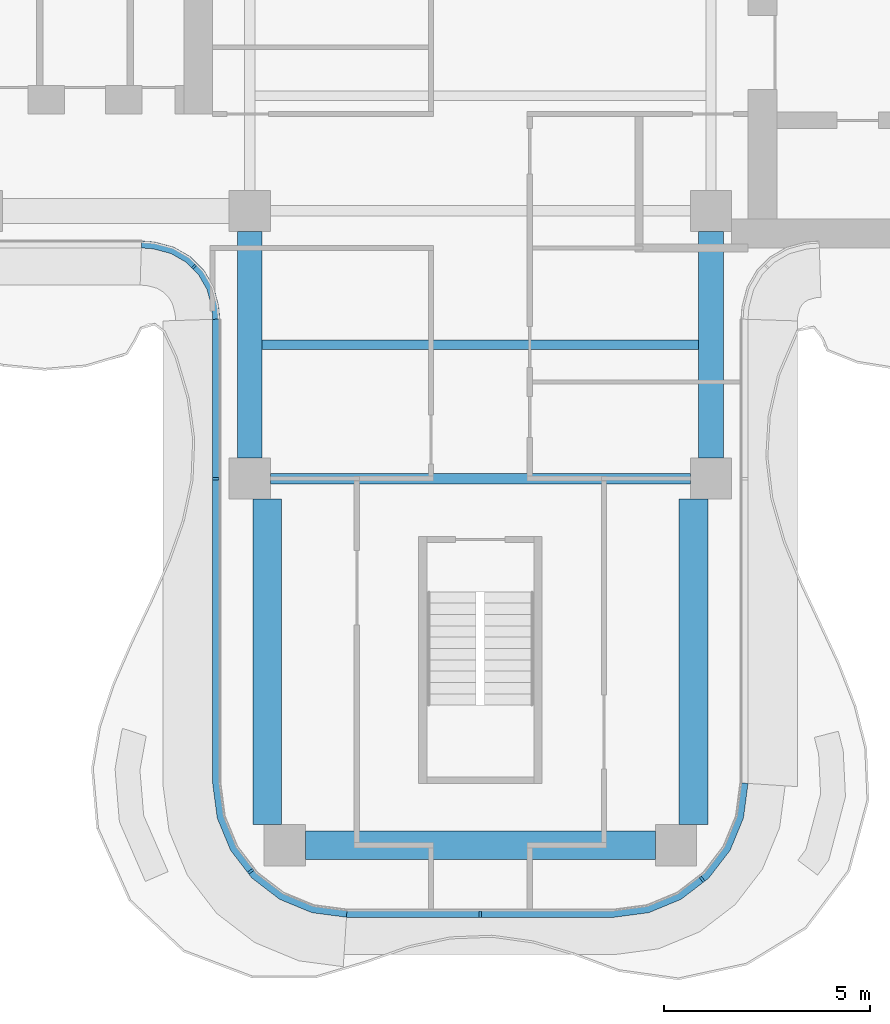
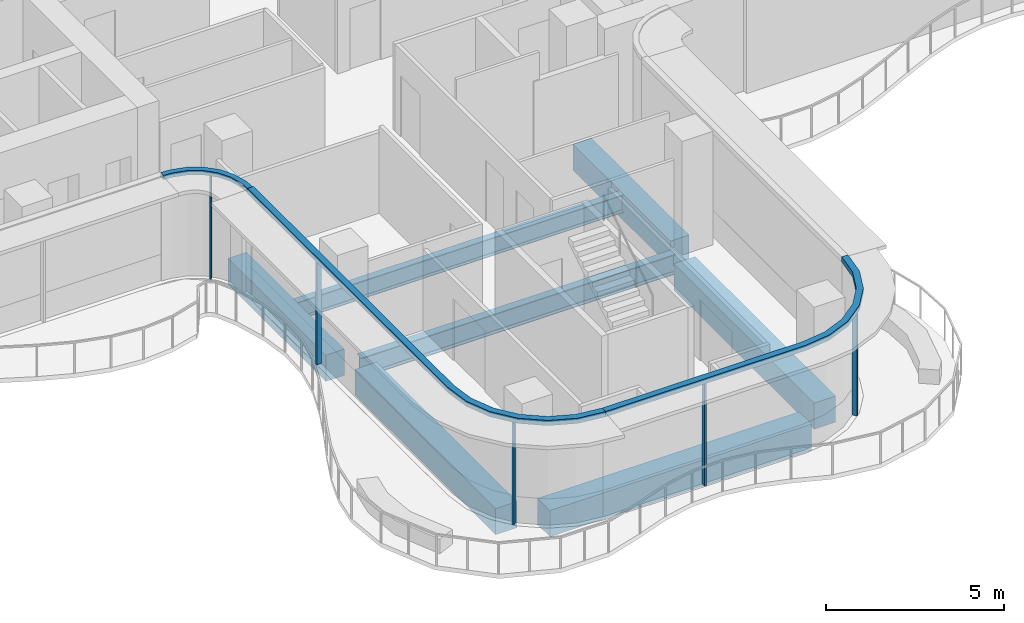
# One storey, part 2 of 17: 8 members, 7 beams, 3 elements without a shape of their own.
"""IFC4 building model written with IfcOpenShell, lengths in metres."""

from ifc_helpers import new_model, si_unit, direction, frame, origin, origin_2d, place, context, subcontext, project, spatial, polyline, rectangle, i_section, outline, extrude, source, transform, mapped, material, layer, layer_set, material_profile, profile_set, type_object, element, aggregate, save


model = new_model("IFC4")

# Units and contexts
model_context = context("Model", 3, precision=1e-05, world=origin(), true_north=direction((0.0, 1.0)))
body_context = subcontext(model_context, "Body", "Model", "MODEL_VIEW")
ifc_project = project(units=[si_unit("LENGTHUNIT", "METRE"), si_unit("AREAUNIT", "SQUARE_METRE"), si_unit("VOLUMEUNIT", "CUBIC_METRE"), si_unit("PLANEANGLEUNIT", "RADIAN"), si_unit("MASSUNIT", "GRAM", prefix="KILO")], contexts=[model_context])

# Site, building, storey
site_placement = place(None, origin())
site = spatial("IfcSite", under=ifc_project, at=site_placement, CompositionType="ELEMENT")
building_placement = place(site_placement, origin())
building = spatial("IfcBuilding", under=site, at=building_placement, Name="Trellis Farm Tower", CompositionType="ELEMENT")
storey_placement = place(building_placement, frame((0.0, 0.0, 295.0)))
storey = spatial("IfcBuildingStorey", under=building, at=storey_placement, Name="L66", CompositionType="ELEMENT", Elevation=295.0)

# Beams
ifc_material_1 = material(Name="Steel S355", Category="steel")
ifc_material_profile_1 = material_profile(ifc_material_1, i_section(OverallWidth=0.22900390625, OverallDepth=0.6123046875, WebThickness=0.011962890625, FlangeThickness=0.01953125, FilletRadius=0.0126953125, at=origin_2d()), Name="UB 610x229x125")
ifc_profile_set_1 = profile_set([ifc_material_profile_1], Name="Steel S355")
beam_type_1 = type_object("IfcBeamType", Name="UB 610x229x125 joist", PredefinedType="JOIST", material=ifc_profile_set_1)
shared_shape_1 = source(origin(), body_context, "Body", "SweptSolid", [
    extrude(i_section(OverallWidth=0.22900390625, OverallDepth=0.6123046875, WebThickness=0.011962890625, FlangeThickness=0.01953125, FilletRadius=0.0126953125, at=origin_2d()), origin(), (0.0, 0.0, 1.0), 10.60009765625),
])
beam_1_placement = place(storey_placement, frame((-5.300048828125, -8.85009765625, -0.506103515625), z_axis=(1.0, 0.0, 0.0), x_axis=(0.0, 1.0, 0.0)))
element("IfcBeam", 1, at=beam_1_placement, inside=storey, type_object=beam_type_1, Name="Floor beam", PredefinedType="JOIST", context=body_context, shape_type="MappedRepresentation", body=[
    mapped(shared_shape_1, transform((0.0, 0.0, 0.0))),
])
ifc_material_profile_2 = material_profile(ifc_material_1, i_section(OverallWidth=0.253662109375, OverallDepth=0.68359375, WebThickness=0.012451171875, FlangeThickness=0.021728515625, FilletRadius=0.01513671875, at=origin_2d()), Name="UB 686x254x140")
ifc_profile_set_2 = profile_set([ifc_material_profile_2], Name="Steel S355")
beam_type_2 = type_object("IfcBeamType", Name="UB 686x254x140", PredefinedType="BEAM", material=ifc_profile_set_2)
shared_shape_2 = source(origin(), body_context, "Body", "SweptSolid", [
    extrude(i_section(OverallWidth=0.253662109375, OverallDepth=0.68359375, WebThickness=0.012451171875, FlangeThickness=0.021728515625, FilletRadius=0.01513671875, at=origin_2d()), origin(), (0.0, 0.0, 1.0), 10.2001953125),
])
beam_2_placement = place(storey_placement, frame((-5.10009765625, -12.10009765625, -0.541748046875), z_axis=(1.0, 0.0, 0.0), x_axis=(0.0, 1.0, 0.0)))
element("IfcBeam", 2, at=beam_2_placement, inside=storey, type_object=beam_type_2, Name="Girder", PredefinedType="BEAM", context=body_context, shape_type="MappedRepresentation", body=[
    mapped(shared_shape_2, transform((0.0, 0.0, 0.0))),
])
ifc_material_2 = material(Name="Concrete C60/75", Category="concrete")
ifc_material_profile_3 = material_profile(ifc_material_2, rectangle(XDim=0.60009765625, YDim=0.89990234375, at=origin_2d()), Name="RC spandrel beam 600x900 C60/75")
ifc_profile_set_3 = profile_set([ifc_material_profile_3], Name="Concrete C60/75")
beam_type_3 = type_object("IfcBeamType", Name="RC spandrel beam 600x900 C60/75", PredefinedType="SPANDREL", material=ifc_profile_set_3)
shared_shape_3 = source(origin(), body_context, "Body", "SweptSolid", [
    extrude(rectangle(XDim=0.60009765625, YDim=0.89990234375, at=origin_2d()), origin(), (0.0, 0.0, 1.0), 5.5),
])
for number, where, z_axis, x_axis, name in (
    (3, (-5.60009765625, -11.60009765625, -0.64990234375), (0.0, 1.0, 0.0), (-1.0, 0.0, 0.0), "Girder"),
    (4, (5.60009765625, -11.60009765625, -0.64990234375), (0.0, 1.0, 0.0), (-1.0, 0.0, 0.0), "Girder"),
):
    element("IfcBeam", number, at=place(storey_placement, frame(where, z_axis=z_axis, x_axis=x_axis)), inside=storey, type_object=beam_type_3, Name=name, PredefinedType="SPANDREL", context=body_context, shape_type="MappedRepresentation", body=[
        mapped(shared_shape_3, transform((0.0, 0.0, 0.0))),
    ])
ifc_material_profile_4 = material_profile(ifc_material_2, rectangle(XDim=0.699951171875, YDim=0.89990234375, at=origin_2d()), Name="RC spandrel beam 700x900 C60/75")
ifc_profile_set_4 = profile_set([ifc_material_profile_4], Name="Concrete C60/75")
beam_type_4 = type_object("IfcBeamType", Name="RC spandrel beam 700x900 C60/75", PredefinedType="SPANDREL", material=ifc_profile_set_4)
shared_shape_4 = source(origin(), body_context, "Body", "SweptSolid", [
    extrude(rectangle(XDim=0.699951171875, YDim=0.89990234375, at=origin_2d()), origin(), (0.0, 0.0, 1.0), 8.5),
])
beam_3_placement = place(storey_placement, frame((-4.25, -21.0, -0.64990234375), z_axis=(1.0, 0.0, 0.0), x_axis=(0.0, 1.0, 0.0)))
element("IfcBeam", 5, at=beam_3_placement, inside=storey, type_object=beam_type_4, Name="Girder", PredefinedType="SPANDREL", context=body_context, shape_type="MappedRepresentation", body=[
    mapped(shared_shape_4, transform((0.0, 0.0, 0.0))),
])
shared_shape_5 = source(origin(), body_context, "Body", "SweptSolid", [
    extrude(rectangle(XDim=0.699951171875, YDim=0.89990234375, at=origin_2d()), origin(), (0.0, 0.0, 1.0), 7.89990234375),
])
for number, where, z_axis, x_axis, name in (
    (6, (-5.175048828125, -20.5, -0.64990234375), (0.0, 1.0, 0.0), (-1.0, 0.0, 0.0), "Girder"),
    (7, (5.175048828125, -20.5, -0.64990234375), (0.0, 1.0, 0.0), (-1.0, 0.0, 0.0), "Girder"),
):
    element("IfcBeam", number, at=place(storey_placement, frame(where, z_axis=z_axis, x_axis=x_axis)), inside=storey, type_object=beam_type_4, Name=name, PredefinedType="SPANDREL", context=body_context, shape_type="MappedRepresentation", body=[
        mapped(shared_shape_5, transform((0.0, 0.0, 0.0))),
    ])

# Curtain wall, member
ifc_material_3 = material(Name="Aluminium and glass curtain wall", Category="aluminium")
ifc_layer_1 = layer(ifc_material_3, 0.166015625)
ifc_layer_set_1 = layer_set([ifc_layer_1], Name="WINTER GARDEN CURTAIN WALL CW3")
curtain_wall_type_1 = type_object("IfcCurtainWallType", Name="WINTER GARDEN CURTAIN WALL CW3", PredefinedType="NOTDEFINED", material=ifc_layer_set_1)
placement_1 = place(storey_placement, origin())
curtain_wall_1 = element("IfcCurtainWall", 8, at=placement_1, inside=storey, type_object=curtain_wall_type_1, Name="CW3 001", PredefinedType="NOTDEFINED")
ifc_material_4 = material(Name="Aluminium extrusion 6063-T6", Category="aluminium")
ifc_layer_2 = layer(ifc_material_4, 0.169921875)
ifc_layer_set_2 = layer_set([ifc_layer_2], Name="Aluminium extrusion 6063-T6")
member_type_1 = type_object("IfcMemberType", Name="CW3 TRANSOM 170x150", PredefinedType="USERDEFINED", material=ifc_layer_set_2)
shared_shape_6 = source(origin(), body_context, "Body", "SweptSolid", [
    extrude(outline(polyline([(-8.2314453125, -6.5), (-8.01953125, -6.513916015625), (-7.91552734375, -6.527587890625), (-7.508544921875, -6.63671875), (-7.144287109375, -6.846923828125), (-6.846923828125, -7.144287109375), (-6.63671875, -7.508544921875), (-6.527587890625, -7.91552734375), (-6.513916015625, -8.01953125), (-6.5, -8.2314453125), (-6.330078125, -8.225830078125), (-6.3447265625, -8.0029296875), (-6.360595703125, -7.88232421875), (-6.478271484375, -7.44287109375), (-6.7109375, -7.0400390625), (-7.0400390625, -6.7109375), (-7.44287109375, -6.478271484375), (-7.88232421875, -6.360595703125), (-8.0029296875, -6.3447265625), (-8.225830078125, -6.330078125), (-8.2314453125, -6.5)])), origin(), (0.0, 0.0, 1.0), 0.14990234375),
])
member_1_placement = place(storey_placement, frame((0.0, 0.0, 3.550048828125)))
member_1 = element("IfcMember", 9, at=member_1_placement, type_object=member_type_1, Name="TR3 001", ObjectType="TRANSOM", PredefinedType="USERDEFINED", context=body_context, shape_type="MappedRepresentation", body=[
    mapped(shared_shape_6, transform((0.0, 0.0, 0.0))),
])

# Curtain wall, members
ifc_layer_3 = layer(ifc_material_3, 0.18994140625)
ifc_layer_set_3 = layer_set([ifc_layer_3], Name="RIBBON CURTAIN WALL CW1")
curtain_wall_type_2 = type_object("IfcCurtainWallType", Name="RIBBON CURTAIN WALL CW1", PredefinedType="NOTDEFINED", material=ifc_layer_set_3)
curtain_wall_2 = element("IfcCurtainWall", 10, at=placement_1, inside=storey, type_object=curtain_wall_type_2, Name="CW1 002", PredefinedType="NOTDEFINED")
ifc_material_profile_5 = material_profile(ifc_material_4, rectangle(XDim=0.06005859375, YDim=0.14990234375, at=origin_2d()), Name="MULLION 60x150")
ifc_profile_set_5 = profile_set([ifc_material_profile_5], Name="Aluminium extrusion 6063-T6")
member_type_2 = type_object("IfcMemberType", Name="CW1 MULLION 60x150", PredefinedType="MULLION", material=ifc_profile_set_5)
shared_shape_7 = source(origin(), body_context, "Body", "SweptSolid", [
    extrude(rectangle(XDim=0.06005859375, YDim=0.14990234375, at=origin_2d()), origin(), (0.0, 0.0, 1.0), 3.52001953125),
])
member_2_placement = place(storey_placement, frame((-6.425048828125, -12.10009765625, 0.0), z_axis=(0.0, 0.0, 1.0), x_axis=(0.0, -1.0, 0.0)))
member_2 = element("IfcMember", 11, at=member_2_placement, type_object=member_type_2, Name="MU1 002-01", PredefinedType="MULLION", context=body_context, shape_type="MappedRepresentation", body=[
    mapped(shared_shape_7, transform((0.0, 0.0, 0.0))),
])
member_3_placement = place(storey_placement, frame((-5.578369140625, -21.635498046875, 0.0), z_axis=(0.0, 0.0, 1.0), x_axis=(0.608761429009, -0.793353340291, 0.0)))
member_3 = element("IfcMember", 12, at=member_3_placement, type_object=member_type_2, Name="MU1 002-02", PredefinedType="MULLION", context=body_context, shape_type="MappedRepresentation", body=[
    mapped(shared_shape_7, transform((0.0, 0.0, 0.0))),
])

curtain_wall_3 = element("IfcCurtainWall", 13, at=placement_1, inside=storey, type_object=curtain_wall_type_2, Name="CW1 003", PredefinedType="NOTDEFINED")
member_4_placement = place(storey_placement, frame((0.0, -22.675048828125, 0.0), z_axis=(0.0, 0.0, 1.0), x_axis=(1.0, 0.0, 0.0)))
member_4 = element("IfcMember", 14, at=member_4_placement, type_object=member_type_2, Name="MU1 003-01", PredefinedType="MULLION", context=body_context, shape_type="MappedRepresentation", body=[
    mapped(shared_shape_7, transform((0.0, 0.0, 0.0))),
])
member_5_placement = place(storey_placement, frame((5.385498046875, -21.828369140625, 0.0), z_axis=(0.0, 0.0, 1.0), x_axis=(0.793353340291, 0.608761429009, 0.0)))
member_5 = element("IfcMember", 15, at=member_5_placement, type_object=member_type_2, Name="MU1 003-02", PredefinedType="MULLION", context=body_context, shape_type="MappedRepresentation", body=[
    mapped(shared_shape_7, transform((0.0, 0.0, 0.0))),
])

# Member
ifc_material_profile_6 = material_profile(ifc_material_4, rectangle(XDim=0.050048828125, YDim=0.1201171875, at=origin_2d()), Name="MULLION 50x120")
ifc_profile_set_6 = profile_set([ifc_material_profile_6], Name="Aluminium extrusion 6063-T6")
member_type_3 = type_object("IfcMemberType", Name="CW3 MULLION 50x120", PredefinedType="MULLION", material=ifc_profile_set_6)
shared_shape_8 = source(origin(), body_context, "Body", "SweptSolid", [
    extrude(rectangle(XDim=0.050048828125, YDim=0.1201171875, at=origin_2d()), origin(), (0.0, 0.0, 1.0), 3.550048828125),
])
member_6_placement = place(storey_placement, frame((-6.953125, -6.953125, 0.0), z_axis=(0.0, 0.0, 1.0), x_axis=(0.707106781187, -0.707106781187, 0.0)))
member_6 = element("IfcMember", 16, at=member_6_placement, type_object=member_type_3, Name="MU3 001-01", PredefinedType="MULLION", context=body_context, shape_type="MappedRepresentation", body=[
    mapped(shared_shape_8, transform((0.0, 0.0, 0.0))),
])

aggregate(curtain_wall_1, [member_6, member_1])

ifc_layer_4 = layer(ifc_material_4, 0.199951171875)
ifc_layer_set_4 = layer_set([ifc_layer_4], Name="Aluminium extrusion 6063-T6")
member_type_4 = type_object("IfcMemberType", Name="CW1 TRANSOM 200x180", PredefinedType="USERDEFINED", material=ifc_layer_set_4)
shared_shape_9 = source(origin(), body_context, "Body", "SweptSolid", [
    extrude(outline(polyline([(-6.5, -8.2314453125), (-6.5, -19.5), (-6.38916015625, -20.341064453125), (-6.064697265625, -21.125), (-5.548095703125, -21.798095703125), (-4.875, -22.314697265625), (-4.091064453125, -22.63916015625), (-3.25, -22.75), (-3.23681640625, -22.550048828125), (-4.0390625, -22.4443359375), (-4.774169921875, -22.139892578125), (-5.405517578125, -21.655517578125), (-5.889892578125, -21.024169921875), (-6.1943359375, -20.2890625), (-6.300048828125, -19.48681640625), (-6.300048828125, -8.224853515625), (-6.5, -8.2314453125)])), origin(), (0.0, 0.0, 1.0), 0.179931640625),
])
placement_2 = place(storey_placement, frame((0.0, 0.0, 3.52001953125)))
member_7 = element("IfcMember", 17, at=placement_2, type_object=member_type_4, Name="TR1 002", ObjectType="TRANSOM", PredefinedType="USERDEFINED", context=body_context, shape_type="MappedRepresentation", body=[
    mapped(shared_shape_9, transform((0.0, 0.0, 0.0))),
])

aggregate(curtain_wall_2, [member_2, member_3, member_7])

shared_shape_10 = source(origin(), body_context, "Body", "SweptSolid", [
    extrude(outline(polyline([(-3.25, -22.75), (3.25, -22.75), (4.091064453125, -22.63916015625), (4.875, -22.314697265625), (5.548095703125, -21.798095703125), (6.064697265625, -21.125), (6.38916015625, -20.341064453125), (6.5, -19.5), (6.300048828125, -19.48681640625), (6.1943359375, -20.2890625), (5.889892578125, -21.024169921875), (5.405517578125, -21.655517578125), (4.774169921875, -22.139892578125), (4.0390625, -22.4443359375), (3.23681640625, -22.550048828125), (-3.23681640625, -22.550048828125), (-3.25, -22.75)])), origin(), (0.0, 0.0, 1.0), 0.179931640625),
])
member_8 = element("IfcMember", 18, at=placement_2, type_object=member_type_4, Name="TR1 003", ObjectType="TRANSOM", PredefinedType="USERDEFINED", context=body_context, shape_type="MappedRepresentation", body=[
    mapped(shared_shape_10, transform((0.0, 0.0, 0.0))),
])

aggregate(curtain_wall_3, [member_4, member_5, member_8])

save(model, "model.ifc")
